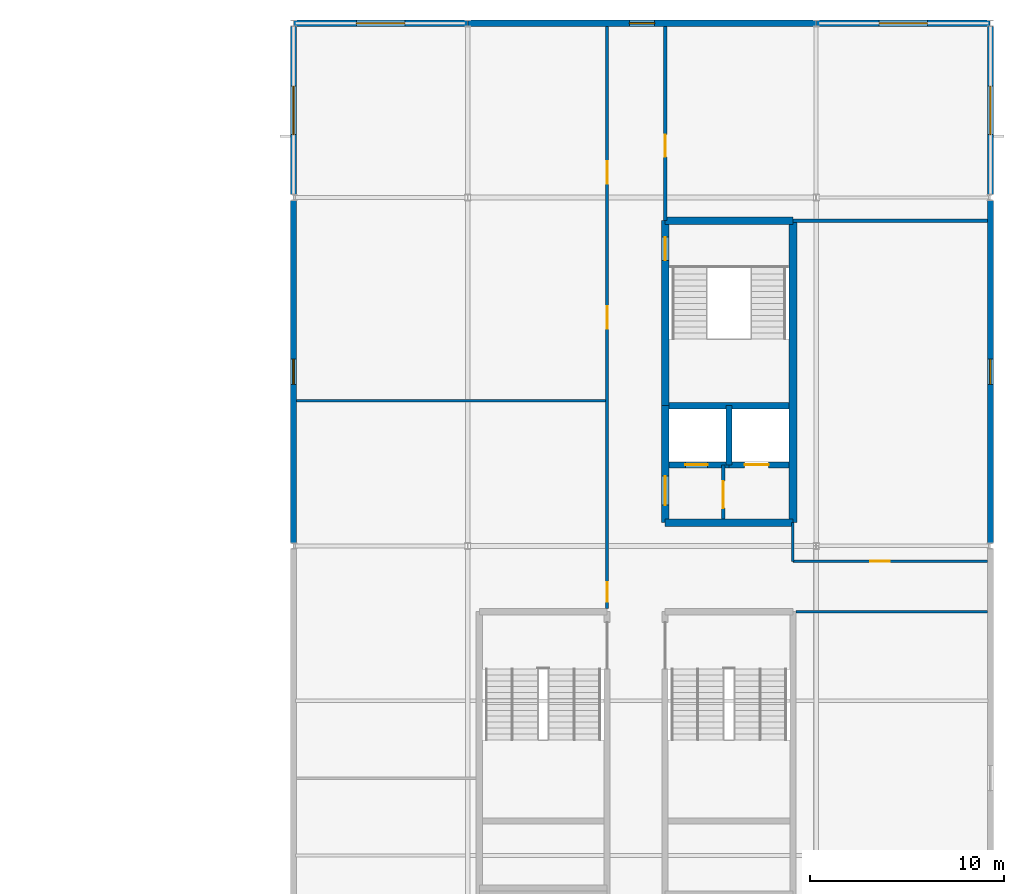
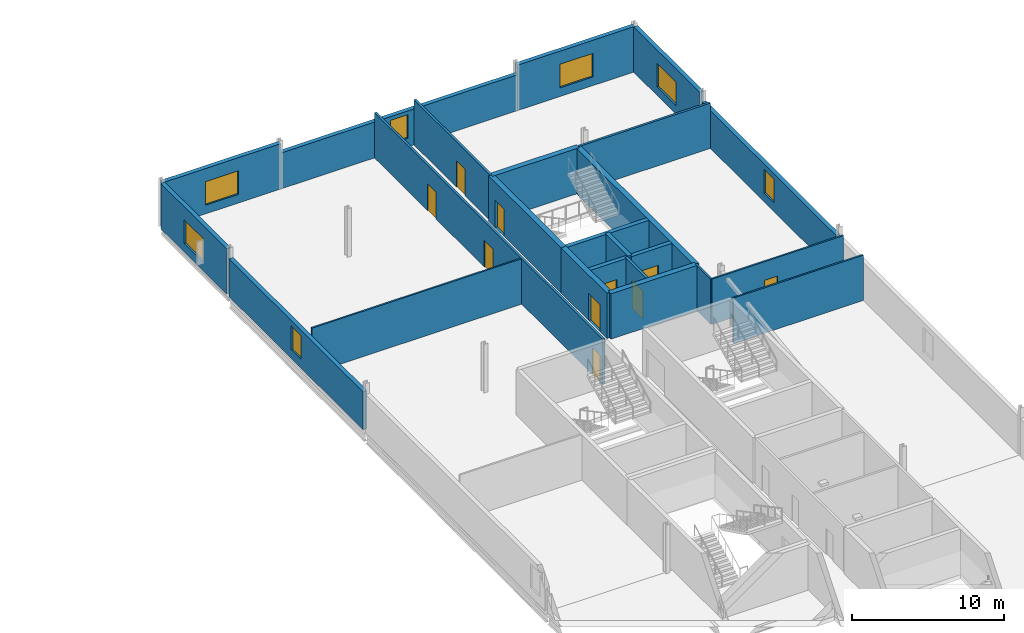
# One storey, part 16 of 27: 24 walls, 10 doors, 7 windows, 17 openings.
"""IFC4 building model written with IfcOpenShell, lengths in metres."""

from ifc_helpers import new_model, si_unit, direction, frame, frame_2d, origin, place, context, subcontext, project, spatial, rectangle, extrude, material, layer, layer_set, type_object, element, fill, save


model = new_model("IFC4")

# Units and contexts
model_context = context("Model", 3, precision=1e-05, world=origin(), true_north=direction((0.0, 1.0)))
body_context = subcontext(model_context, "Body", "Model", "MODEL_VIEW")
ifc_project = project(units=[si_unit("LENGTHUNIT", "METRE"), si_unit("AREAUNIT", "SQUARE_METRE"), si_unit("VOLUMEUNIT", "CUBIC_METRE"), si_unit("PLANEANGLEUNIT", "RADIAN"), si_unit("MASSUNIT", "GRAM", prefix="KILO")], contexts=[model_context])

# Site, building, storey
site_placement = place(None, origin())
site = spatial("IfcSite", under=ifc_project, at=site_placement, CompositionType="ELEMENT")
building_placement = place(site_placement, origin())
building = spatial("IfcBuilding", under=site, at=building_placement, Name="Kisiwana Market Hall", CompositionType="ELEMENT")
storey_placement = place(building_placement, frame((0.0, 0.0, 41.699951171875)))
storey = spatial("IfcBuildingStorey", under=building, at=storey_placement, Name="L09", CompositionType="ELEMENT", Elevation=41.699951171875)

# Wall, opening, door
ifc_material_1 = material(Name="Masonry blockwork", Category="masonry")
ifc_layer_1 = layer(ifc_material_1, 0.199951171875, Name="Plastered fire compartment block wall")
ifc_layer_set_1 = layer_set([ifc_layer_1], Name="WL-COMP-200")
wall_type_1 = type_object("IfcWallType", Name="WL-COMP-200", PredefinedType="PARTITIONING", material=ifc_layer_set_1)
wall_1_placement = place(storey_placement, frame((184.199951171875, 85.39990234375, 0.0), z_axis=(0.0, 0.0, 1.0), x_axis=(0.0, 1.0, 0.0)))
wall_1 = element("IfcWall", 1, at=wall_1_placement, inside=storey, type_object=wall_type_1, Name="Core E1 firefighting lobby wall W-2546", PredefinedType="PARTITIONING", context=body_context, shape_type="SweptSolid", body=[
    extrude(rectangle(XDim=2.780029296875, YDim=0.199951171875, at=frame_2d((1.39013671875, 0.0))), origin(), (0.0, 0.0, 1.0), 3.655029296875),
])
opening_1_placement = place(wall_1_placement, frame((0.550048828125, 0.0, 0.0)))
opening_1 = element("IfcOpeningElement", 2, at=opening_1_placement, cuts=wall_1, Name="Opening DR-L09-012", PredefinedType="OPENING", context=body_context, shape_type="SweptSolid", body=[
    extrude(rectangle(XDim=1.39990234375, YDim=2.25, at=frame_2d((0.699951171875, 1.125))), frame((0.0, 0.11181640625, 0.0), z_axis=(0.0, -1.0, 0.0), x_axis=(1.0, 0.0, 0.0)), (0.0, 0.0, 1.0), 0.223876953125),
])
ifc_material_2 = material(Name="Steel S275", Category="steel")
door_type_1 = type_object("IfcDoorType", Name="DR-FFLOB-FD120-1400", OperationType="DOUBLE_DOOR_SINGLE_SWING", PredefinedType="DOOR", material=ifc_material_2)
door_1_placement = place(opening_1_placement, origin())
door_1 = element("IfcDoor", 3, at=door_1_placement, inside=storey, type_object=door_type_1, Name="Firefighting Lift Lobby E1 Door (L09)", OperationType="DOUBLE_DOOR_SINGLE_SWING", OverallHeight=2.25, OverallWidth=1.39990234375, PredefinedType="DOOR", context=body_context, shape_type="SweptSolid", body=[
    extrude(rectangle(XDim=1.39990234375, YDim=2.25, at=frame_2d((0.699951171875, 1.125))), frame((0.0, 0.02490234375, 0.0), z_axis=(0.0, -1.0, 0.0), x_axis=(1.0, 0.0, 0.0)), (0.0, 0.0, 1.0), 0.050048828125),
])
fill(opening_1, door_1)

# Walls
ifc_material_3 = material(Name="Concrete C40/50", Category="concrete")
ifc_layer_2 = layer(ifc_material_3, 0.320068359375, Name="Reinforced concrete shaft wall")
ifc_layer_set_2 = layer_set([ifc_layer_2], Name="WL-CORE-320")
wall_type_2 = type_object("IfcWallType", Name="WL-CORE-320", PredefinedType="SHEAR", material=ifc_layer_set_2)
wall_2_placement = place(storey_placement, frame((181.39990234375, 91.239990234375, 0.0), z_axis=(0.0, 0.0, 1.0), x_axis=(1.0, 0.0, 0.0)))
element("IfcWall", 4, at=wall_2_placement, inside=storey, type_object=wall_type_2, Name="Core E1 shaft back shear wall W-2455", PredefinedType="SHEAR", context=body_context, shape_type="SweptSolid", body=[
    extrude(rectangle(XDim=6.2001953125, YDim=0.320068359375, at=frame_2d((3.10009765625, 0.0))), origin(), (0.0, 0.0, 1.0), 3.655029296875),
])
wall_3_placement = place(storey_placement, frame((184.5, 88.179931640625, 0.0), z_axis=(0.0, 0.0, 1.0), x_axis=(0.0, 1.0, 0.0)))
element("IfcWall", 5, at=wall_3_placement, inside=storey, type_object=wall_type_2, Name="Core E1 inter-shaft shear wall W-2456", PredefinedType="SHEAR", context=body_context, shape_type="SweptSolid", body=[
    extrude(rectangle(XDim=3.06005859375, YDim=0.320068359375, at=frame_2d((1.530029296875, 0.0))), origin(), (0.0, 0.0, 1.0), 3.655029296875),
])

# Wall, opening, door
wall_4_placement = place(storey_placement, frame((181.39990234375, 88.179931640625, 0.0), z_axis=(0.0, 0.0, 1.0), x_axis=(1.0, 0.0, 0.0)))
wall_4 = element("IfcWall", 6, at=wall_4_placement, inside=storey, type_object=wall_type_2, Name="Core E1 west lift front wall W-2457", PredefinedType="SHEAR", context=body_context, shape_type="SweptSolid", body=[
    extrude(rectangle(XDim=3.10009765625, YDim=0.320068359375, at=frame_2d((1.550048828125, 0.0))), origin(), (0.0, 0.0, 1.0), 3.655029296875),
])
opening_2_placement = place(wall_4_placement, frame((0.85009765625, 0.0, 0.0)))
opening_2 = element("IfcOpeningElement", 7, at=opening_2_placement, cuts=wall_4, Name="Opening LD-L09-007", PredefinedType="OPENING", context=body_context, shape_type="SweptSolid", body=[
    extrude(rectangle(XDim=1.14990234375, YDim=2.199951171875, at=frame_2d((0.574951171875, 1.10009765625))), frame((0.0, 0.171875, 0.0), z_axis=(0.0, -1.0, 0.0), x_axis=(1.0, 0.0, 0.0)), (0.0, 0.0, 1.0), 0.343994140625),
])
ifc_material_4 = material(Name="Steel S275", Category="steel")
door_type_2 = type_object("IfcDoorType", Name="DR-LIFT-PAX-1150", OperationType="DOUBLE_DOOR_SLIDING", PredefinedType="DOOR", material=ifc_material_4)
door_2_placement = place(opening_2_placement, origin())
door_2 = element("IfcDoor", 8, at=door_2_placement, inside=storey, type_object=door_type_2, Name="Lift Landing Door LP-04 (L09)", OperationType="DOUBLE_DOOR_SLIDING", OverallHeight=2.199951171875, OverallWidth=1.14990234375, PredefinedType="DOOR", context=body_context, shape_type="SweptSolid", body=[
    extrude(rectangle(XDim=1.14990234375, YDim=2.199951171875, at=frame_2d((0.574951171875, 1.10009765625))), frame((0.0, 0.02490234375, 0.0), z_axis=(0.0, -1.0, 0.0), x_axis=(1.0, 0.0, 0.0)), (0.0, 0.0, 1.0), 0.050048828125),
])
fill(opening_2, door_2)

wall_5_placement = place(storey_placement, frame((184.5, 88.179931640625, 0.0), z_axis=(0.0, 0.0, 1.0), x_axis=(1.0, 0.0, 0.0)))
wall_5 = element("IfcWall", 9, at=wall_5_placement, inside=storey, type_object=wall_type_2, Name="Core E1 east lift front wall W-2458", PredefinedType="SHEAR", context=body_context, shape_type="SweptSolid", body=[
    extrude(rectangle(XDim=3.10009765625, YDim=0.320068359375, at=frame_2d((1.550048828125, 0.0))), origin(), (0.0, 0.0, 1.0), 3.655029296875),
])
opening_3_placement = place(wall_5_placement, frame((0.800048828125, 0.0, 0.0)))
opening_3 = element("IfcOpeningElement", 10, at=opening_3_placement, cuts=wall_5, Name="Opening LD-L09-008", PredefinedType="OPENING", context=body_context, shape_type="SweptSolid", body=[
    extrude(rectangle(XDim=1.25, YDim=2.25, at=frame_2d((0.625, 1.125))), frame((0.0, 0.171875, 0.0), z_axis=(0.0, -1.0, 0.0), x_axis=(1.0, 0.0, 0.0)), (0.0, 0.0, 1.0), 0.343994140625),
])
ifc_material_5 = material(Name="Steel S275", Category="steel")
door_type_3 = type_object("IfcDoorType", Name="DR-LIFT-FFL-1250", OperationType="DOUBLE_DOOR_SLIDING", PredefinedType="DOOR", material=ifc_material_5)
door_3_placement = place(opening_3_placement, origin())
door_3 = element("IfcDoor", 11, at=door_3_placement, inside=storey, type_object=door_type_3, Name="Lift Landing Door FFL-04 (L09)", OperationType="DOUBLE_DOOR_SLIDING", OverallHeight=2.25, OverallWidth=1.25, PredefinedType="DOOR", context=body_context, shape_type="SweptSolid", body=[
    extrude(rectangle(XDim=1.25, YDim=2.25, at=frame_2d((0.625, 1.125))), frame((0.0, 0.02490234375, 0.0), z_axis=(0.0, -1.0, 0.0), x_axis=(1.0, 0.0, 0.0)), (0.0, 0.0, 1.0), 0.050048828125),
])
fill(opening_3, door_3)

# Walls
ifc_material_6 = material(Name="Concrete C40/50", Category="concrete")
ifc_layer_3 = layer(ifc_material_6, 0.39990234375, Name="Reinforced concrete core wall")
ifc_layer_set_3 = layer_set([ifc_layer_3], Name="WL-CORE-400")
wall_type_3 = type_object("IfcWallType", Name="WL-CORE-400", PredefinedType="SHEAR", material=ifc_layer_set_3)
for number, where, z_axis, x_axis, name in (
    (12, (181.199951171875, 85.199951171875, 0.0), (0.0, 0.0, 1.0), (1.0, 0.0, 0.0), "Core E1 south shear wall W-2450"),
    (13, (181.199951171875, 100.800048828125, 0.0), (0.0, 0.0, 1.0), (1.0, 0.0, 0.0), "Core E1 north shear wall W-2451"),
):
    element("IfcWall", number, at=place(storey_placement, frame(where, z_axis=z_axis, x_axis=x_axis)), inside=storey, type_object=wall_type_3, Name=name, PredefinedType="SHEAR", context=body_context, shape_type="SweptSolid", body=[
        extrude(rectangle(XDim=6.60009765625, YDim=0.39990234375, at=frame_2d((3.300048828125, 0.0))), origin(), (0.0, 0.0, 1.0), 3.655029296875),
    ])
wall_6_placement = place(storey_placement, frame((187.800048828125, 85.199951171875, 0.0), z_axis=(0.0, 0.0, 1.0), x_axis=(0.0, 1.0, 0.0)))
element("IfcWall", 14, at=wall_6_placement, inside=storey, type_object=wall_type_3, Name="Core E1 outer shear wall W-2452", PredefinedType="SHEAR", context=body_context, shape_type="SweptSolid", body=[
    extrude(rectangle(XDim=15.60009765625, YDim=0.39990234375, at=frame_2d((7.800048828125, 0.0))), origin(), (0.0, 0.0, 1.0), 3.655029296875),
])

# Wall, opening, door
wall_7_placement = place(storey_placement, frame((181.199951171875, 85.199951171875, 0.0), z_axis=(0.0, 0.0, 1.0), x_axis=(0.0, 1.0, 0.0)))
wall_7 = element("IfcWall", 15, at=wall_7_placement, inside=storey, type_object=wall_type_3, Name="Core E1 lobby corridor shear wall W-2453", PredefinedType="SHEAR", context=body_context, shape_type="SweptSolid", body=[
    extrude(rectangle(XDim=6.0400390625, YDim=0.39990234375, at=frame_2d((3.02001953125, 0.0))), origin(), (0.0, 0.0, 1.0), 3.655029296875),
])
opening_4_placement = place(wall_7_placement, frame((0.89990234375, 0.0, 0.0)))
opening_4 = element("IfcOpeningElement", 16, at=opening_4_placement, cuts=wall_7, Name="Opening DR-L09-010", PredefinedType="OPENING", context=body_context, shape_type="SweptSolid", body=[
    extrude(rectangle(XDim=1.5, YDim=2.199951171875, at=frame_2d((0.75, 1.10009765625))), frame((0.0, 0.2119140625, 0.0), z_axis=(0.0, -1.0, 0.0), x_axis=(1.0, 0.0, 0.0)), (0.0, 0.0, 1.0), 0.423828125),
])
ifc_material_7 = material(Name="Steel S275", Category="steel")
door_type_4 = type_object("IfcDoorType", Name="DR-CORR-FD60-1500", OperationType="DOUBLE_DOOR_SINGLE_SWING", PredefinedType="DOOR", material=ifc_material_7)
door_4_placement = place(opening_4_placement, origin())
door_4 = element("IfcDoor", 17, at=door_4_placement, inside=storey, type_object=door_type_4, Name="Passenger Lift Lobby E1 Smoke Door (L09)", OperationType="DOUBLE_DOOR_SINGLE_SWING", OverallHeight=2.199951171875, OverallWidth=1.5, PredefinedType="DOOR", context=body_context, shape_type="SweptSolid", body=[
    extrude(rectangle(XDim=1.5, YDim=2.199951171875, at=frame_2d((0.75, 1.10009765625))), frame((0.0, 0.02490234375, 0.0), z_axis=(0.0, -1.0, 0.0), x_axis=(1.0, 0.0, 0.0)), (0.0, 0.0, 1.0), 0.050048828125),
])
fill(opening_4, door_4)

wall_8_placement = place(storey_placement, frame((181.199951171875, 91.239990234375, 0.0), z_axis=(0.0, 0.0, 1.0), x_axis=(0.0, 1.0, 0.0)))
wall_8 = element("IfcWall", 18, at=wall_8_placement, inside=storey, type_object=wall_type_3, Name="Core E1 stair corridor shear wall W-2454", PredefinedType="SHEAR", context=body_context, shape_type="SweptSolid", body=[
    extrude(rectangle(XDim=9.56005859375, YDim=0.39990234375, at=frame_2d((4.780029296875, 0.0))), origin(), (0.0, 0.0, 1.0), 3.655029296875),
])
opening_5_placement = place(wall_8_placement, frame((7.510009765625, 0.0, 0.0)))
opening_5 = element("IfcOpeningElement", 19, at=opening_5_placement, cuts=wall_8, Name="Opening DR-L09-011", PredefinedType="OPENING", context=body_context, shape_type="SweptSolid", body=[
    extrude(rectangle(XDim=1.199951171875, YDim=2.199951171875, at=frame_2d((0.60009765625, 1.10009765625))), frame((0.0, 0.2119140625, 0.0), z_axis=(0.0, -1.0, 0.0), x_axis=(1.0, 0.0, 0.0)), (0.0, 0.0, 1.0), 0.423828125),
])
ifc_material_8 = material(Name="Steel S275", Category="steel")
door_type_5 = type_object("IfcDoorType", Name="DR-STAIR-FD120-1200", OperationType="NOTDEFINED", PredefinedType="DOOR", material=ifc_material_8)
door_5_placement = place(opening_5_placement, frame((1.199951171875, 0.0, 0.0), z_axis=(0.0, 0.0, 1.0), x_axis=(-1.0, 0.0, 0.0)))
door_5 = element("IfcDoor", 20, at=door_5_placement, inside=storey, type_object=door_type_5, Name="Escape Stair E1 Fire Door (L09)", OperationType="SINGLE_SWING_LEFT", OverallHeight=2.199951171875, OverallWidth=1.199951171875, PredefinedType="DOOR", context=body_context, shape_type="SweptSolid", body=[
    extrude(rectangle(XDim=1.199951171875, YDim=2.199951171875, at=frame_2d((0.60009765625, 1.10009765625))), frame((0.0, 0.02490234375, 0.0), z_axis=(0.0, -1.0, 0.0), x_axis=(1.0, 0.0, 0.0)), (0.0, 0.0, 1.0), 0.050048828125),
])
fill(opening_5, door_5)

# Wall
ifc_material_9 = material(Name="Masonry blockwork", Category="masonry")
ifc_layer_4 = layer(ifc_material_9, 0.169921875, Name="Protected corridor partition")
ifc_layer_set_4 = layer_set([ifc_layer_4], Name="WL-CORR-170")
wall_type_4 = type_object("IfcWallType", Name="WL-CORR-170", PredefinedType="PARTITIONING", material=ifc_layer_set_4)
wall_9_placement = place(storey_placement, frame((187.800048828125, 100.800048828125, 0.0), z_axis=(0.0, 0.0, 1.0), x_axis=(1.0, 0.0, 0.0)))
element("IfcWall", 21, at=wall_9_placement, inside=storey, type_object=wall_type_4, Name="Interior partition W-2574", PredefinedType="PARTITIONING", context=body_context, shape_type="SweptSolid", body=[
    extrude(rectangle(XDim=10.04248046875, YDim=0.169921875, at=frame_2d((5.021240234375, 0.0))), origin(), (0.0, 0.0, 1.0), 3.655029296875),
])

# Wall, opening, door
wall_10_placement = place(storey_placement, frame((181.199951171875, 100.800048828125, 0.0), z_axis=(0.0, 0.0, 1.0), x_axis=(0.0, 1.0, 0.0)))
wall_10 = element("IfcWall", 22, at=wall_10_placement, inside=storey, type_object=wall_type_4, Name="Interior partition W-2580", PredefinedType="PARTITIONING", context=body_context, shape_type="SweptSolid", body=[
    extrude(rectangle(XDim=10.04248046875, YDim=0.169921875, at=frame_2d((5.021240234375, 0.0))), origin(), (0.0, 0.0, 1.0), 3.655029296875),
])
opening_6_placement = place(wall_10_placement, frame((3.300048828125, 0.0, 0.0)))
opening_6 = element("IfcOpeningElement", 23, at=opening_6_placement, cuts=wall_10, Name="Opening DR-L09-045", PredefinedType="OPENING", context=body_context, shape_type="SweptSolid", body=[
    extrude(rectangle(XDim=1.14990234375, YDim=2.14990234375, at=frame_2d((0.574951171875, 1.074951171875))), frame((0.0, 0.096923828125, 0.0), z_axis=(0.0, -1.0, 0.0), x_axis=(1.0, 0.0, 0.0)), (0.0, 0.0, 1.0), 0.19384765625),
])
ifc_material_10 = material(Name="Aluminium alloy 6063-T6", Category="aluminium")
door_type_6 = type_object("IfcDoorType", Name="DR-MEET-1150", OperationType="NOTDEFINED", PredefinedType="DOOR", material=ifc_material_10)
door_6_placement = place(opening_6_placement, frame((1.14990234375, 0.0, 0.0), z_axis=(0.0, 0.0, 1.0), x_axis=(-1.0, 0.0, 0.0)))
door_6 = element("IfcDoor", 24, at=door_6_placement, inside=storey, type_object=door_type_6, Name="L09 E Corner Office Suite North Door", OperationType="SINGLE_SWING_RIGHT", OverallHeight=2.14990234375, OverallWidth=1.14990234375, PredefinedType="DOOR", context=body_context, shape_type="SweptSolid", body=[
    extrude(rectangle(XDim=1.14990234375, YDim=2.14990234375, at=frame_2d((0.574951171875, 1.074951171875))), frame((0.0, 0.02490234375, 0.0), z_axis=(0.0, -1.0, 0.0), x_axis=(1.0, 0.0, 0.0)), (0.0, 0.0, 1.0), 0.050048828125),
])
fill(opening_6, door_6)

# Wall, openings, doors
wall_11_placement = place(storey_placement, frame((178.199951171875, 80.760009765625, 0.0), z_axis=(0.0, 0.0, 1.0), x_axis=(0.0, 1.0, 0.0)))
wall_11 = element("IfcWall", 25, at=wall_11_placement, inside=storey, type_object=wall_type_4, Name="Interior partition W-2586", PredefinedType="PARTITIONING", context=body_context, shape_type="SweptSolid", body=[
    extrude(rectangle(XDim=30.08251953125, YDim=0.169921875, at=frame_2d((15.041259765625, 0.0))), origin(), (0.0, 0.0, 1.0), 3.655029296875),
])
opening_7_placement = place(wall_11_placement, frame((0.35107421875, 0.0, 0.0)))
opening_7 = element("IfcOpeningElement", 26, at=opening_7_placement, cuts=wall_11, Name="Opening DR-L09-050", PredefinedType="OPENING", context=body_context, shape_type="SweptSolid", body=[
    extrude(rectangle(XDim=1.0, YDim=2.14990234375, at=frame_2d((0.5, 1.074951171875))), frame((0.0, 0.096923828125, 0.0), z_axis=(0.0, -1.0, 0.0), x_axis=(1.0, 0.0, 0.0)), (0.0, 0.0, 1.0), 0.19384765625),
])
opening_8_placement = place(wall_11_placement, frame((21.949951171875, 0.0, 0.0)))
opening_8 = element("IfcOpeningElement", 27, at=opening_8_placement, cuts=wall_11, Name="Opening DR-L09-051", PredefinedType="OPENING", context=body_context, shape_type="SweptSolid", body=[
    extrude(rectangle(XDim=1.14990234375, YDim=2.14990234375, at=frame_2d((0.574951171875, 1.074951171875))), frame((0.0, 0.096923828125, 0.0), z_axis=(0.0, -1.0, 0.0), x_axis=(1.0, 0.0, 0.0)), (0.0, 0.0, 1.0), 0.19384765625),
])
opening_9_placement = place(wall_11_placement, frame((14.466064453125, 0.0, 0.0)))
opening_9 = element("IfcOpeningElement", 28, at=opening_9_placement, cuts=wall_11, Name="Opening DR-L09-052", PredefinedType="OPENING", context=body_context, shape_type="SweptSolid", body=[
    extrude(rectangle(XDim=1.14990234375, YDim=2.14990234375, at=frame_2d((0.574951171875, 1.074951171875))), frame((0.0, 0.096923828125, 0.0), z_axis=(0.0, -1.0, 0.0), x_axis=(1.0, 0.0, 0.0)), (0.0, 0.0, 1.0), 0.19384765625),
])
door_7_placement = place(opening_8_placement, origin())
door_7 = element("IfcDoor", 29, at=door_7_placement, inside=storey, type_object=door_type_6, Name="L09 E Client Briefing Room M5 Door", OperationType="SINGLE_SWING_RIGHT", OverallHeight=2.14990234375, OverallWidth=1.14990234375, PredefinedType="DOOR", context=body_context, shape_type="SweptSolid", body=[
    extrude(rectangle(XDim=1.14990234375, YDim=2.14990234375, at=frame_2d((0.574951171875, 1.074951171875))), frame((0.0, 0.02490234375, 0.0), z_axis=(0.0, -1.0, 0.0), x_axis=(1.0, 0.0, 0.0)), (0.0, 0.0, 1.0), 0.050048828125),
])
fill(opening_8, door_7)
door_8_placement = place(opening_9_placement, origin())
door_8 = element("IfcDoor", 30, at=door_8_placement, inside=storey, type_object=door_type_6, Name="L09 E Engineering Design Studio M3 Door", OperationType="SINGLE_SWING_LEFT", OverallHeight=2.14990234375, OverallWidth=1.14990234375, PredefinedType="DOOR", context=body_context, shape_type="SweptSolid", body=[
    extrude(rectangle(XDim=1.14990234375, YDim=2.14990234375, at=frame_2d((0.574951171875, 1.074951171875))), frame((0.0, 0.02490234375, 0.0), z_axis=(0.0, -1.0, 0.0), x_axis=(1.0, 0.0, 0.0)), (0.0, 0.0, 1.0), 0.050048828125),
])
fill(opening_9, door_8)
ifc_material_11 = material(Name="Aluminium alloy 6063-T6", Category="aluminium")
door_type_7 = type_object("IfcDoorType", Name="DR-OFF-1000", OperationType="NOTDEFINED", PredefinedType="DOOR", material=ifc_material_11)
door_9_placement = place(opening_7_placement, origin())
door_9 = element("IfcDoor", 31, at=door_9_placement, inside=storey, type_object=door_type_7, Name="L09 E Mid-Rise Office Suite M4 Door", OperationType="SINGLE_SWING_LEFT", OverallHeight=2.14990234375, OverallWidth=1.0, PredefinedType="DOOR", context=body_context, shape_type="SweptSolid", body=[
    extrude(rectangle(XDim=1.0, YDim=2.14990234375, at=frame_2d((0.5, 1.074951171875))), frame((0.0, 0.02490234375, 0.0), z_axis=(0.0, -1.0, 0.0), x_axis=(1.0, 0.0, 0.0)), (0.0, 0.0, 1.0), 0.050048828125),
])
fill(opening_7, door_9)

# Wall, opening, window
ifc_material_12 = material(Name="Concrete C40/50 precast", Category="concrete")
ifc_layer_5 = layer(ifc_material_12, 0.31494140625)
ifc_layer_set_5 = layer_set([ifc_layer_5], Name="WL-EXT-315")
wall_type_5 = type_object("IfcWallType", Name="WL-EXT-315", PredefinedType="STANDARD", material=ifc_layer_set_5)
wall_12_placement = place(storey_placement, frame((162.010009765625, 111.0, 0.0), z_axis=(0.0, 0.0, 1.0), x_axis=(1.0, 0.0, 0.0)))
wall_12 = element("IfcWall", 32, at=wall_12_placement, inside=storey, type_object=wall_type_5, Name="Exterior wall W-2516", PredefinedType="STANDARD", context=body_context, shape_type="SweptSolid", body=[
    extrude(rectangle(XDim=8.97998046875, YDim=0.31494140625, at=frame_2d((4.489990234375, 0.0))), origin(), (0.0, 0.0, 1.0), 3.655029296875),
])
opening_10_placement = place(wall_12_placement, frame((3.239990234375, 0.0, 0.699951171875)))
opening_10 = element("IfcOpeningElement", 33, at=opening_10_placement, cuts=wall_12, Name="Opening WN-17", PredefinedType="OPENING", context=body_context, shape_type="SweptSolid", body=[
    extrude(rectangle(XDim=2.5, YDim=1.89990234375, at=frame_2d((1.25, 0.949951171875))), frame((0.0, 0.16943359375, 0.0), z_axis=(0.0, -1.0, 0.0), x_axis=(1.0, 0.0, 0.0)), (0.0, 0.0, 1.0), 0.3388671875),
])
ifc_material_13 = material(Name="Double-glazed solar-control low-E IGU", Category="glass")
window_type_1 = type_object("IfcWindowType", Name="WN-OFFB-2500x1900", PartitioningType="SINGLE_PANEL", PredefinedType="WINDOW", material=ifc_material_13)
window_1_placement = place(opening_10_placement, origin())
window_1 = element("IfcWindow", 34, at=window_1_placement, inside=storey, type_object=window_type_1, Name="Exterior window WN-284", OverallHeight=1.89990234375, OverallWidth=2.5, PartitioningType="SINGLE_PANEL", PredefinedType="WINDOW", context=body_context, shape_type="SweptSolid", body=[
    extrude(rectangle(XDim=2.5, YDim=1.89990234375, at=frame_2d((1.25, 0.949951171875))), frame((0.0, 0.030029296875, 0.0), z_axis=(0.0, -1.0, 0.0), x_axis=(1.0, 0.0, 0.0)), (0.0, 0.0, 1.0), 0.06005859375),
])
fill(opening_10, window_1)

wall_13_placement = place(storey_placement, frame((171.010009765625, 111.0, 0.0), z_axis=(0.0, 0.0, 1.0), x_axis=(1.0, 0.0, 0.0)))
wall_13 = element("IfcWall", 35, at=wall_13_placement, inside=storey, type_object=wall_type_5, Name="Exterior wall W-2517", PredefinedType="STANDARD", context=body_context, shape_type="SweptSolid", body=[
    extrude(rectangle(XDim=17.97998046875, YDim=0.31494140625, at=frame_2d((8.989990234375, 0.0))), origin(), (0.0, 0.0, 1.0), 2.892822265625),
])
opening_11_placement = place(wall_13_placement, frame((8.340087890625, 0.0, 0.699951171875)))
opening_11 = element("IfcOpeningElement", 36, at=opening_11_placement, cuts=wall_13, Name="Opening WN-08", PredefinedType="OPENING", context=body_context, shape_type="SweptSolid", body=[
    extrude(rectangle(XDim=1.300048828125, YDim=1.89990234375, at=frame_2d((0.64990234375, 0.949951171875))), frame((0.0, 0.16943359375, 0.0), z_axis=(0.0, -1.0, 0.0), x_axis=(1.0, 0.0, 0.0)), (0.0, 0.0, 1.0), 0.3388671875),
])
ifc_material_14 = material(Name="Double-glazed solar-control low-E IGU", Category="glass")
window_type_2 = type_object("IfcWindowType", Name="WN-OFFB-1300x1900", PartitioningType="SINGLE_PANEL", PredefinedType="WINDOW", material=ifc_material_14)
window_2_placement = place(opening_11_placement, origin())
window_2 = element("IfcWindow", 37, at=window_2_placement, inside=storey, type_object=window_type_2, Name="Exterior window WN-261", OverallHeight=1.89990234375, OverallWidth=1.300048828125, PartitioningType="SINGLE_PANEL", PredefinedType="WINDOW", context=body_context, shape_type="SweptSolid", body=[
    extrude(rectangle(XDim=1.300048828125, YDim=1.89990234375, at=frame_2d((0.64990234375, 0.949951171875))), frame((0.0, 0.030029296875, 0.0), z_axis=(0.0, -1.0, 0.0), x_axis=(1.0, 0.0, 0.0)), (0.0, 0.0, 1.0), 0.06005859375),
])
fill(opening_11, window_2)

wall_14_placement = place(storey_placement, frame((189.010009765625, 111.0, 0.0), z_axis=(0.0, 0.0, 1.0), x_axis=(1.0, 0.0, 0.0)))
wall_14 = element("IfcWall", 38, at=wall_14_placement, inside=storey, type_object=wall_type_5, Name="Exterior wall W-2518", PredefinedType="STANDARD", context=body_context, shape_type="SweptSolid", body=[
    extrude(rectangle(XDim=8.97998046875, YDim=0.31494140625, at=frame_2d((4.489990234375, 0.0))), origin(), (0.0, 0.0, 1.0), 3.655029296875),
])
opening_12_placement = place(wall_14_placement, frame((3.239990234375, 0.0, 0.699951171875)))
opening_12 = element("IfcOpeningElement", 39, at=opening_12_placement, cuts=wall_14, Name="Opening WN-17", PredefinedType="OPENING", context=body_context, shape_type="SweptSolid", body=[
    extrude(rectangle(XDim=2.5, YDim=1.89990234375, at=frame_2d((1.25, 0.949951171875))), frame((0.0, 0.16943359375, 0.0), z_axis=(0.0, -1.0, 0.0), x_axis=(1.0, 0.0, 0.0)), (0.0, 0.0, 1.0), 0.3388671875),
])
window_3_placement = place(opening_12_placement, origin())
window_3 = element("IfcWindow", 40, at=window_3_placement, inside=storey, type_object=window_type_1, Name="Exterior window WN-285", OverallHeight=1.89990234375, OverallWidth=2.5, PartitioningType="SINGLE_PANEL", PredefinedType="WINDOW", context=body_context, shape_type="SweptSolid", body=[
    extrude(rectangle(XDim=2.5, YDim=1.89990234375, at=frame_2d((1.25, 0.949951171875))), frame((0.0, 0.030029296875, 0.0), z_axis=(0.0, -1.0, 0.0), x_axis=(1.0, 0.0, 0.0)), (0.0, 0.0, 1.0), 0.06005859375),
])
fill(opening_12, window_3)

wall_15_placement = place(storey_placement, frame((162.0, 84.159423828125, 0.0), z_axis=(0.0, 0.0, 1.0), x_axis=(0.0, 1.0, 0.0)))
wall_15 = element("IfcWall", 41, at=wall_15_placement, inside=storey, type_object=wall_type_5, Name="Exterior wall W-2535", PredefinedType="STANDARD", context=body_context, shape_type="SweptSolid", body=[
    extrude(rectangle(XDim=17.68115234375, YDim=0.31494140625, at=frame_2d((8.840576171875, 0.0))), origin(), (0.0, 0.0, 1.0), 3.04296875),
])
opening_13_placement = place(wall_15_placement, frame((8.190673828125, 0.0, 0.699951171875)))
opening_13 = element("IfcOpeningElement", 42, at=opening_13_placement, cuts=wall_15, Name="Opening WN-08", PredefinedType="OPENING", context=body_context, shape_type="SweptSolid", body=[
    extrude(rectangle(XDim=1.300048828125, YDim=1.89990234375, at=frame_2d((0.64990234375, 0.949951171875))), frame((0.0, 0.16943359375, 0.0), z_axis=(0.0, -1.0, 0.0), x_axis=(1.0, 0.0, 0.0)), (0.0, 0.0, 1.0), 0.3388671875),
])
window_4_placement = place(opening_13_placement, origin())
window_4 = element("IfcWindow", 43, at=window_4_placement, inside=storey, type_object=window_type_2, Name="Exterior window WN-273", OverallHeight=1.89990234375, OverallWidth=1.300048828125, PartitioningType="SINGLE_PANEL", PredefinedType="WINDOW", context=body_context, shape_type="SweptSolid", body=[
    extrude(rectangle(XDim=1.300048828125, YDim=1.89990234375, at=frame_2d((0.64990234375, 0.949951171875))), frame((0.0, 0.030029296875, 0.0), z_axis=(0.0, -1.0, 0.0), x_axis=(1.0, 0.0, 0.0)), (0.0, 0.0, 1.0), 0.06005859375),
])
fill(opening_13, window_4)

wall_16_placement = place(storey_placement, frame((162.0, 102.159423828125, 0.0), z_axis=(0.0, 0.0, 1.0), x_axis=(0.0, 1.0, 0.0)))
wall_16 = element("IfcWall", 44, at=wall_16_placement, inside=storey, type_object=wall_type_5, Name="Exterior wall W-2536", PredefinedType="STANDARD", context=body_context, shape_type="SweptSolid", body=[
    extrude(rectangle(XDim=8.68115234375, YDim=0.31494140625, at=frame_2d((4.340576171875, 0.0))), origin(), (0.0, 0.0, 1.0), 3.655029296875),
])
opening_14_placement = place(wall_16_placement, frame((3.090576171875, 0.0, 0.699951171875)))
opening_14 = element("IfcOpeningElement", 45, at=opening_14_placement, cuts=wall_16, Name="Opening WN-17", PredefinedType="OPENING", context=body_context, shape_type="SweptSolid", body=[
    extrude(rectangle(XDim=2.5, YDim=1.89990234375, at=frame_2d((1.25, 0.949951171875))), frame((0.0, 0.16943359375, 0.0), z_axis=(0.0, -1.0, 0.0), x_axis=(1.0, 0.0, 0.0)), (0.0, 0.0, 1.0), 0.3388671875),
])
window_5_placement = place(opening_14_placement, origin())
window_5 = element("IfcWindow", 46, at=window_5_placement, inside=storey, type_object=window_type_1, Name="Exterior window WN-291", OverallHeight=1.89990234375, OverallWidth=2.5, PartitioningType="SINGLE_PANEL", PredefinedType="WINDOW", context=body_context, shape_type="SweptSolid", body=[
    extrude(rectangle(XDim=2.5, YDim=1.89990234375, at=frame_2d((1.25, 0.949951171875))), frame((0.0, 0.030029296875, 0.0), z_axis=(0.0, -1.0, 0.0), x_axis=(1.0, 0.0, 0.0)), (0.0, 0.0, 1.0), 0.06005859375),
])
fill(opening_14, window_5)

wall_17_placement = place(storey_placement, frame((198.0, 84.159423828125, 0.0), z_axis=(0.0, 0.0, 1.0), x_axis=(0.0, 1.0, 0.0)))
wall_17 = element("IfcWall", 47, at=wall_17_placement, inside=storey, type_object=wall_type_5, Name="Exterior wall W-2541", PredefinedType="STANDARD", context=body_context, shape_type="SweptSolid", body=[
    extrude(rectangle(XDim=17.68115234375, YDim=0.31494140625, at=frame_2d((8.840576171875, 0.0))), origin(), (0.0, 0.0, 1.0), 3.04296875),
])
opening_15_placement = place(wall_17_placement, frame((8.190673828125, 0.0, 0.699951171875)))
opening_15 = element("IfcOpeningElement", 48, at=opening_15_placement, cuts=wall_17, Name="Opening WN-08", PredefinedType="OPENING", context=body_context, shape_type="SweptSolid", body=[
    extrude(rectangle(XDim=1.300048828125, YDim=1.89990234375, at=frame_2d((0.64990234375, 0.949951171875))), frame((0.0, 0.16943359375, 0.0), z_axis=(0.0, -1.0, 0.0), x_axis=(1.0, 0.0, 0.0)), (0.0, 0.0, 1.0), 0.3388671875),
])
window_6_placement = place(opening_15_placement, origin())
window_6 = element("IfcWindow", 49, at=window_6_placement, inside=storey, type_object=window_type_2, Name="Exterior window WN-277", OverallHeight=1.89990234375, OverallWidth=1.300048828125, PartitioningType="SINGLE_PANEL", PredefinedType="WINDOW", context=body_context, shape_type="SweptSolid", body=[
    extrude(rectangle(XDim=1.300048828125, YDim=1.89990234375, at=frame_2d((0.64990234375, 0.949951171875))), frame((0.0, 0.030029296875, 0.0), z_axis=(0.0, -1.0, 0.0), x_axis=(1.0, 0.0, 0.0)), (0.0, 0.0, 1.0), 0.06005859375),
])
fill(opening_15, window_6)

wall_18_placement = place(storey_placement, frame((198.0, 102.159423828125, 0.0), z_axis=(0.0, 0.0, 1.0), x_axis=(0.0, 1.0, 0.0)))
wall_18 = element("IfcWall", 50, at=wall_18_placement, inside=storey, type_object=wall_type_5, Name="Exterior wall W-2542", PredefinedType="STANDARD", context=body_context, shape_type="SweptSolid", body=[
    extrude(rectangle(XDim=8.68115234375, YDim=0.31494140625, at=frame_2d((4.340576171875, 0.0))), origin(), (0.0, 0.0, 1.0), 3.655029296875),
])
opening_16_placement = place(wall_18_placement, frame((3.090576171875, 0.0, 0.699951171875)))
opening_16 = element("IfcOpeningElement", 51, at=opening_16_placement, cuts=wall_18, Name="Opening WN-17", PredefinedType="OPENING", context=body_context, shape_type="SweptSolid", body=[
    extrude(rectangle(XDim=2.5, YDim=1.89990234375, at=frame_2d((1.25, 0.949951171875))), frame((0.0, 0.16943359375, 0.0), z_axis=(0.0, -1.0, 0.0), x_axis=(1.0, 0.0, 0.0)), (0.0, 0.0, 1.0), 0.3388671875),
])
window_7_placement = place(opening_16_placement, origin())
window_7 = element("IfcWindow", 52, at=window_7_placement, inside=storey, type_object=window_type_1, Name="Exterior window WN-293", OverallHeight=1.89990234375, OverallWidth=2.5, PartitioningType="SINGLE_PANEL", PredefinedType="WINDOW", context=body_context, shape_type="SweptSolid", body=[
    extrude(rectangle(XDim=2.5, YDim=1.89990234375, at=frame_2d((1.25, 0.949951171875))), frame((0.0, 0.030029296875, 0.0), z_axis=(0.0, -1.0, 0.0), x_axis=(1.0, 0.0, 0.0)), (0.0, 0.0, 1.0), 0.06005859375),
])
fill(opening_16, window_7)

# Walls
ifc_material_15 = material(Name="Gypsum plasterboard")
ifc_layer_6 = layer(ifc_material_15, 0.125, Name="Double gypsum board + acoustic stud")
ifc_layer_set_6 = layer_set([ifc_layer_6], Name="WL-OFF-125")
wall_type_6 = type_object("IfcWallType", Name="WL-OFF-125", PredefinedType="PARTITIONING", material=ifc_layer_set_6)
wall_19_placement = place(storey_placement, frame((187.800048828125, 83.199951171875, 0.0), z_axis=(0.0, 0.0, 1.0), x_axis=(0.0, 1.0, 0.0)))
element("IfcWall", 53, at=wall_19_placement, inside=storey, type_object=wall_type_6, Name="Interior partition W-2572", PredefinedType="PARTITIONING", context=body_context, shape_type="SweptSolid", body=[
    extrude(rectangle(XDim=2.0, YDim=0.125, at=frame_2d((1.0, 0.0))), origin(), (0.0, 0.0, 1.0), 3.655029296875),
])
wall_20_placement = place(storey_placement, frame((187.9599609375, 80.60009765625, 0.0), z_axis=(0.0, 0.0, 1.0), x_axis=(1.0, 0.0, 0.0)))
element("IfcWall", 54, at=wall_20_placement, inside=storey, type_object=wall_type_6, Name="Interior partition W-2577", PredefinedType="PARTITIONING", context=body_context, shape_type="SweptSolid", body=[
    extrude(rectangle(XDim=9.882568359375, YDim=0.125, at=frame_2d((4.94140625, 0.0))), origin(), (0.0, 0.0, 1.0), 3.655029296875),
])

# Wall, opening, door
wall_21_placement = place(storey_placement, frame((187.800048828125, 83.199951171875, 0.0), z_axis=(0.0, 0.0, 1.0), x_axis=(1.0, 0.0, 0.0)))
wall_21 = element("IfcWall", 55, at=wall_21_placement, inside=storey, type_object=wall_type_6, Name="Interior partition W-2578", PredefinedType="PARTITIONING", context=body_context, shape_type="SweptSolid", body=[
    extrude(rectangle(XDim=10.04248046875, YDim=0.125, at=frame_2d((5.021240234375, 0.0))), origin(), (0.0, 0.0, 1.0), 3.655029296875),
])
opening_17_placement = place(wall_21_placement, frame((4.0, 0.0, 0.0)))
opening_17 = element("IfcOpeningElement", 56, at=opening_17_placement, cuts=wall_21, Name="Opening DR-L09-043", PredefinedType="OPENING", context=body_context, shape_type="SweptSolid", body=[
    extrude(rectangle(XDim=1.0, YDim=2.14990234375, at=frame_2d((0.5, 1.074951171875))), frame((0.0, 0.074462890625, 0.0), z_axis=(0.0, -1.0, 0.0), x_axis=(1.0, 0.0, 0.0)), (0.0, 0.0, 1.0), 0.14892578125),
])
door_10_placement = place(opening_17_placement, origin())
door_10 = element("IfcDoor", 57, at=door_10_placement, inside=storey, type_object=door_type_7, Name="L09 E Commercial Office North Door", OperationType="SINGLE_SWING_LEFT", OverallHeight=2.14990234375, OverallWidth=1.0, PredefinedType="DOOR", context=body_context, shape_type="SweptSolid", body=[
    extrude(rectangle(XDim=1.0, YDim=2.14990234375, at=frame_2d((0.5, 1.074951171875))), frame((0.0, 0.02490234375, 0.0), z_axis=(0.0, -1.0, 0.0), x_axis=(1.0, 0.0, 0.0)), (0.0, 0.0, 1.0), 0.050048828125),
])
fill(opening_17, door_10)

# Wall
wall_22_placement = place(storey_placement, frame((162.157470703125, 91.5, 0.0), z_axis=(0.0, 0.0, 1.0), x_axis=(1.0, 0.0, 0.0)))
element("IfcWall", 58, at=wall_22_placement, inside=storey, type_object=wall_type_6, Name="Interior partition W-2584", PredefinedType="PARTITIONING", context=body_context, shape_type="SweptSolid", body=[
    extrude(rectangle(XDim=15.95751953125, YDim=0.125, at=frame_2d((7.978759765625, 0.0))), origin(), (0.0, 0.0, 1.0), 3.655029296875),
])

save(model, "model.ifc")
